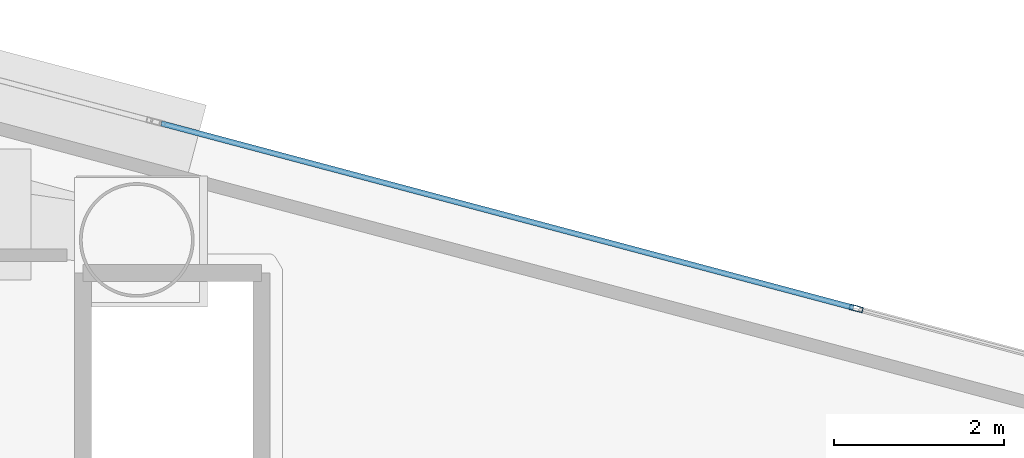
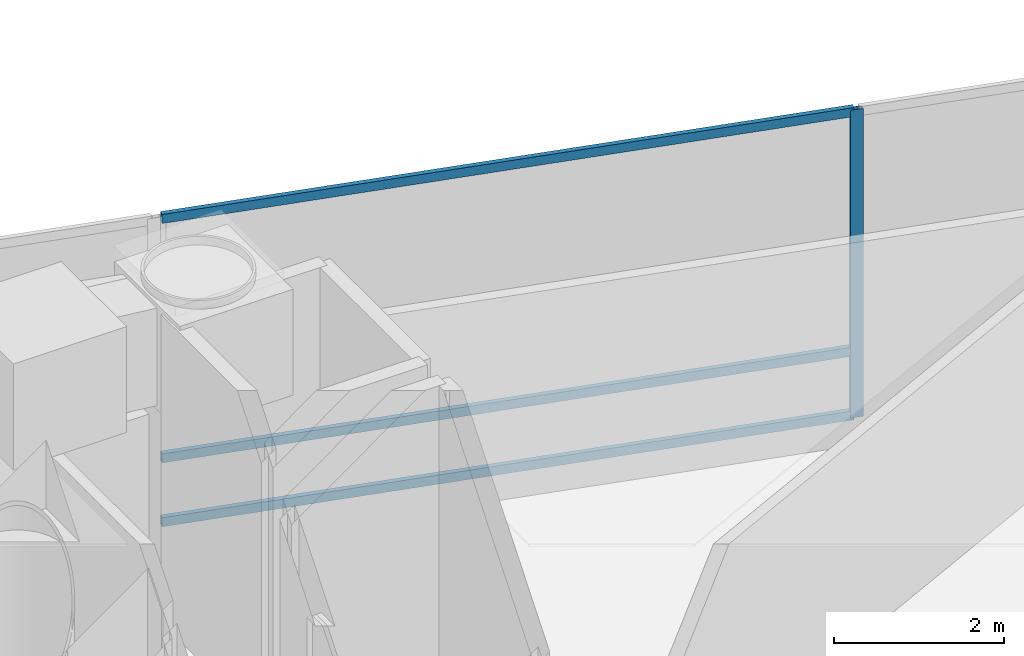
# One storey, part 13 of 22: 4 members, 1 element without a shape of its own.
"""IFC4 building model written with IfcOpenShell, lengths in metres."""

from ifc_helpers import new_model, si_unit, direction, frame, origin, origin_2d, place, context, subcontext, project, spatial, hollow_rectangle, extrude, material, layer, layer_set, material_profile, profile_set, type_object, element, aggregate, save


model = new_model("IFC4")

# Units and contexts
model_context = context("Model", 3, precision=1e-05, world=origin(), true_north=direction((0.0, 1.0)))
body_context = subcontext(model_context, "Body", "Model", "MODEL_VIEW")
ifc_project = project(units=[si_unit("LENGTHUNIT", "METRE"), si_unit("AREAUNIT", "SQUARE_METRE"), si_unit("VOLUMEUNIT", "CUBIC_METRE"), si_unit("PLANEANGLEUNIT", "RADIAN"), si_unit("MASSUNIT", "GRAM", prefix="KILO")], contexts=[model_context])

# Site, building, storey
site_placement = place(None, origin())
site = spatial("IfcSite", under=ifc_project, at=site_placement, CompositionType="ELEMENT")
building_placement = place(site_placement, origin())
building = spatial("IfcBuilding", under=site, at=building_placement, Name="Qianvela Tower", CompositionType="ELEMENT")
storey_placement = place(building_placement, frame((0.0, 0.0, 184.60009765625)))
storey = spatial("IfcBuildingStorey", under=building, at=storey_placement, Name="L47", CompositionType="ELEMENT", Elevation=184.60009765625)

# Curtain wall, members
ifc_material_1 = material(Name="Anodised Architectural Aluminium and Low-E Glass", Category="aluminium")
ifc_layer = layer(ifc_material_1, 0.169921875)
ifc_layer_set = layer_set([ifc_layer], Name="Anodised Architectural Aluminium and Low-E Glass")
curtain_wall_type = type_object("IfcCurtainWallType", Name="CW-COLIV-Z34", PredefinedType="USERDEFINED", material=ifc_layer_set)
curtain_wall_placement = place(storey_placement, origin())
curtain_wall = element("IfcCurtainWall", 1, at=curtain_wall_placement, inside=storey, type_object=curtain_wall_type, Name="L47 CW-COLIV-Z34 Curtain Wall 02A", ObjectType="CURTAIN_WALL_SYSTEM", PredefinedType="USERDEFINED")
ifc_material_2 = material(Name="Anodised Architectural Aluminium 6063-T6", Category="aluminium")
ifc_material_profile_1 = material_profile(ifc_material_2, hollow_rectangle(XDim=0.06494140625, YDim=0.159912109375, WallThickness=0.0048828125, at=origin_2d()), Name="ALU-MULL-65x160")
ifc_profile_set_1 = profile_set([ifc_material_profile_1], Name="Anodised Architectural Aluminium 6063-T6")
member_type_1 = type_object("IfcMemberType", Name="CW-COLIV-Z34-MULL", PredefinedType="MULLION", material=ifc_profile_set_1)
member_1_placement = place(storey_placement, frame((50.55078125, 34.8623046875, 0.0), z_axis=(0.0, 0.0, 1.0), x_axis=(-0.257350339516, -0.966318168489, 0.0)))
member_1 = element("IfcMember", 2, at=member_1_placement, type_object=member_type_1, Name="CW-4 mullion 2", PredefinedType="MULLION", context=body_context, shape_type="SweptSolid", body=[
    extrude(hollow_rectangle(XDim=0.06494140625, YDim=0.159912109375, WallThickness=0.0048828125, at=origin_2d()), origin(), (0.0, 0.0, 1.0), 4.419921875),
])
ifc_material_3 = material(Name="Anodised Architectural Aluminium 6063-T6", Category="aluminium")
ifc_material_profile_2 = material_profile(ifc_material_3, hollow_rectangle(XDim=0.06494140625, YDim=0.1298828125, WallThickness=0.00439453125, at=origin_2d()), Name="ALU-TRAN-65x130")
ifc_profile_set_2 = profile_set([ifc_material_profile_2], Name="Anodised Architectural Aluminium 6063-T6")
member_type_2 = type_object("IfcMemberType", Name="CW-COLIV-Z34-TRAN", PredefinedType="USERDEFINED", material=ifc_profile_set_2)
member_2_placement = place(storey_placement, frame((50.519287109375, 34.870849609375, 0.032470703125), z_axis=(-0.966323302389, 0.25733106159, 0.0), x_axis=(-0.25733106159, -0.966323302389, 0.0)))
member_2 = element("IfcMember", 3, at=member_2_placement, type_object=member_type_2, Name="CW-4 transom 2.1", ObjectType="TRANSOM", PredefinedType="USERDEFINED", context=body_context, shape_type="SweptSolid", body=[
    extrude(hollow_rectangle(XDim=0.06494140625, YDim=0.1298828125, WallThickness=0.00439453125, at=origin_2d()), origin(), (0.0, 0.0, 1.0), 8.432373046875),
])
member_3_placement = place(storey_placement, frame((50.519287109375, 34.870849609375, 0.949951171875), z_axis=(-0.966323302389, 0.25733106159, 0.0), x_axis=(-0.25733106159, -0.966323302389, 0.0)))
member_3 = element("IfcMember", 4, at=member_3_placement, type_object=member_type_2, Name="CW-4 transom 2.2", ObjectType="TRANSOM", PredefinedType="USERDEFINED", context=body_context, shape_type="SweptSolid", body=[
    extrude(hollow_rectangle(XDim=0.06494140625, YDim=0.1298828125, WallThickness=0.00439453125, at=origin_2d()), origin(), (0.0, 0.0, 1.0), 8.432373046875),
])
member_4_placement = place(storey_placement, frame((50.519287109375, 34.870849609375, 4.387451171875), z_axis=(-0.966323302389, 0.25733106159, 0.0), x_axis=(-0.25733106159, -0.966323302389, 0.0)))
member_4 = element("IfcMember", 5, at=member_4_placement, type_object=member_type_2, Name="CW-4 transom 2.3", ObjectType="TRANSOM", PredefinedType="USERDEFINED", context=body_context, shape_type="SweptSolid", body=[
    extrude(hollow_rectangle(XDim=0.06494140625, YDim=0.1298828125, WallThickness=0.00439453125, at=origin_2d()), origin(), (0.0, 0.0, 1.0), 8.432373046875),
])
aggregate(curtain_wall, [member_1, member_2, member_3, member_4])

save(model, "model.ifc")
